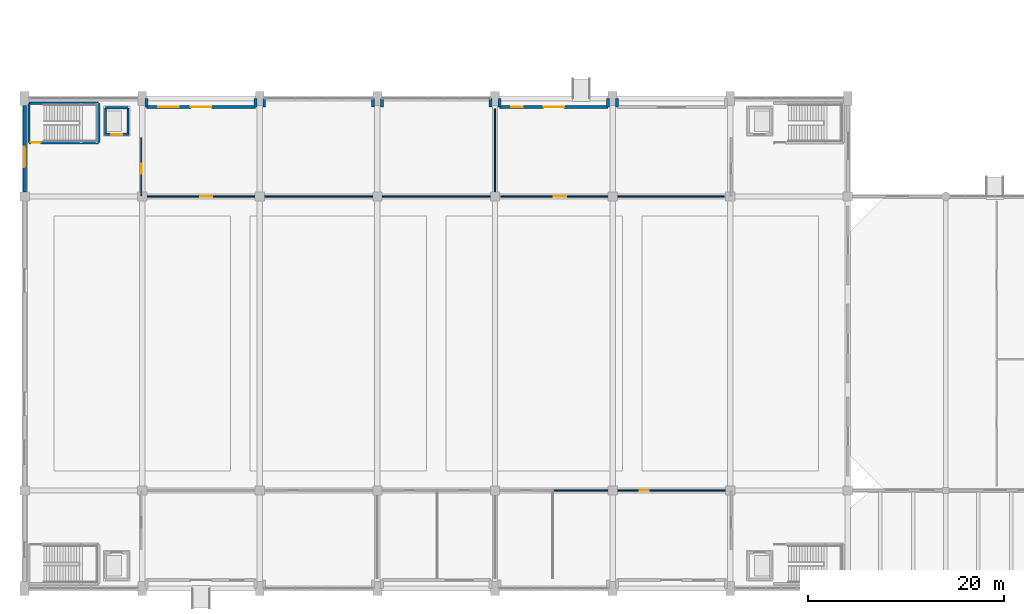
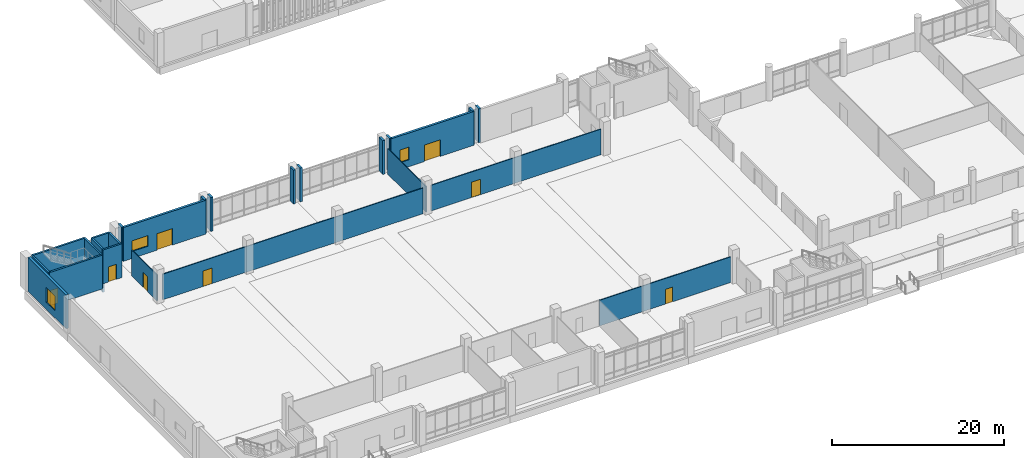
# One storey, part 70 of 87: 25 walls, 8 doors, 3 windows, 11 openings.
"""IFC4 building model written with IfcOpenShell, lengths in metres."""

from ifc_helpers import new_model, si_unit, direction, frame, frame_2d, origin, place, context, subcontext, project, spatial, rectangle, extrude, material, layer, layer_set, type_object, element, fill, save


model = new_model("IFC4")

# Units and contexts
model_context = context("Model", 3, precision=1e-05, world=origin(), true_north=direction((0.0, 1.0)))
body_context = subcontext(model_context, "Body", "Model", "MODEL_VIEW")
ifc_project = project(units=[si_unit("LENGTHUNIT", "METRE"), si_unit("AREAUNIT", "SQUARE_METRE"), si_unit("VOLUMEUNIT", "CUBIC_METRE"), si_unit("PLANEANGLEUNIT", "RADIAN"), si_unit("MASSUNIT", "GRAM", prefix="KILO")], contexts=[model_context])

# Site, building, storey
site_placement = place(None, origin())
site = spatial("IfcSite", under=ifc_project, at=site_placement, CompositionType="ELEMENT")
building_placement = place(site_placement, origin())
building = spatial("IfcBuilding", under=site, at=building_placement, Name="Mersad Railyard Sports Hall", CompositionType="ELEMENT")
storey_placement = place(building_placement, origin())
storey = spatial("IfcBuildingStorey", under=building, at=storey_placement, Name="L00", CompositionType="ELEMENT", Elevation=0.0)

# Walls
ifc_material_1 = material(Name="Architectural concrete C40/50", Category="concrete")
ifc_layer_1 = layer(ifc_material_1, 0.300048828125)
ifc_layer_set_1 = layer_set([ifc_layer_1], Name="Architectural concrete C40/50")
wall_type_1 = type_object("IfcWallType", Name="ARC-WL-EW01", PredefinedType="SOLIDWALL", material=ifc_layer_set_1)
for number, where, z_axis, x_axis, name in (
    (1, (19.449951171875, 52.64990234375, 0.0), (0.0, 0.0, 1.0), (0.0, 1.0, 0.0), "External wall EW01-0009"),
    (2, (30.550048828125, 53.5, 0.0), (0.0, 0.0, 1.0), (0.0, -1.0, 0.0), "External wall EW01-0010"),
):
    element("IfcWall", number, at=place(storey_placement, frame(where, z_axis=z_axis, x_axis=x_axis)), inside=storey, type_object=wall_type_1, Name=name, PredefinedType="SOLIDWALL", context=body_context, shape_type="SweptSolid", body=[
        extrude(rectangle(XDim=0.85009765625, YDim=0.300048828125, at=frame_2d((0.425048828125, 0.0))), origin(), (0.0, 0.0, 1.0), 4.800048828125),
    ])

# Wall, openings, door, window
wall_1_placement = place(storey_placement, frame((19.449951171875, 52.64990234375, 0.0), z_axis=(0.0, 0.0, 1.0), x_axis=(1.0, 0.0, 0.0)))
wall_1 = element("IfcWall", 3, at=wall_1_placement, inside=storey, type_object=wall_type_1, Name="External wall EW01-0016", PredefinedType="SOLIDWALL", context=body_context, shape_type="SweptSolid", body=[
    extrude(rectangle(XDim=11.10009765625, YDim=0.300048828125, at=frame_2d((5.550048828125, 0.0))), origin(), (0.0, 0.0, 1.0), 4.800048828125),
])
opening_1_placement = place(wall_1_placement, frame((4.5, 0.0, 0.0)))
opening_1 = element("IfcOpeningElement", 4, at=opening_1_placement, cuts=wall_1, Name="Opening ED02", PredefinedType="OPENING", context=body_context, shape_type="SweptSolid", body=[
    extrude(rectangle(XDim=2.10009765625, YDim=2.35009765625, at=frame_2d((1.050048828125, 1.175048828125))), frame((0.0, 0.159912109375, 0.0), z_axis=(0.0, -1.0, 0.0), x_axis=(1.0, 0.0, 0.0)), (0.0, 0.0, 1.0), 0.320068359375),
])
opening_2_placement = place(wall_1_placement, frame((1.199951171875, 0.0, 1.0)))
opening_2 = element("IfcOpeningElement", 5, at=opening_2_placement, cuts=wall_1, Name="Opening W06", PredefinedType="OPENING", context=body_context, shape_type="SweptSolid", body=[
    extrude(rectangle(XDim=2.10009765625, YDim=1.5, at=frame_2d((1.050048828125, 0.75))), frame((0.0, 0.159912109375, 0.0), z_axis=(0.0, -1.0, 0.0), x_axis=(1.0, 0.0, 0.0)), (0.0, 0.0, 1.0), 0.320068359375),
])
ifc_material_2 = material(Name="Aluminium 6063-T6", Category="aluminium")
door_type_1 = type_object("IfcDoorType", Name="ARC-DR-ED02", OperationType="NOTDEFINED", PredefinedType="DOOR", material=ifc_material_2)
door_1_placement = place(opening_1_placement, origin())
door_1 = element("IfcDoor", 6, at=door_1_placement, inside=storey, type_object=door_type_1, Name="Pedestrian exit door ED02-002", OperationType="DOUBLE_DOOR_SINGLE_SWING", OverallHeight=2.35009765625, OverallWidth=2.10009765625, PredefinedType="DOOR", context=body_context, shape_type="SweptSolid", body=[
    extrude(rectangle(XDim=2.10009765625, YDim=2.35009765625, at=frame_2d((1.050048828125, 1.175048828125))), frame((0.0, 0.02490234375, 0.0), z_axis=(0.0, -1.0, 0.0), x_axis=(1.0, 0.0, 0.0)), (0.0, 0.0, 1.0), 0.050048828125),
])
fill(opening_1, door_1)
ifc_material_3 = material(Name="Solar-control glass", Category="glass")
window_type_1 = type_object("IfcWindowType", Name="ARC-WN-W06", PartitioningType="DOUBLE_PANEL_VERTICAL", PredefinedType="WINDOW", material=ifc_material_3)
window_1_placement = place(opening_2_placement, origin())
window_1 = element("IfcWindow", 7, at=window_1_placement, inside=storey, type_object=window_type_1, Name="Window W06-0002", OverallHeight=1.5, OverallWidth=2.10009765625, PartitioningType="DOUBLE_PANEL_VERTICAL", PredefinedType="WINDOW", context=body_context, shape_type="SweptSolid", body=[
    extrude(rectangle(XDim=2.10009765625, YDim=1.5, at=frame_2d((1.050048828125, 0.75))), frame((0.0, 0.030029296875, 0.0), z_axis=(0.0, -1.0, 0.0), x_axis=(1.0, 0.0, 0.0)), (0.0, 0.0, 1.0), 0.06005859375),
])
fill(opening_2, window_1)

# Walls
for number, where, z_axis, x_axis, name in (
    (8, (31.449951171875, 52.64990234375, 0.0), (0.0, 0.0, 1.0), (0.0, 1.0, 0.0), "External wall EW01-0019"),
    (9, (42.550048828125, 53.5, 0.0), (0.0, 0.0, 1.0), (0.0, -1.0, 0.0), "External wall EW01-0020"),
    (10, (43.449951171875, 52.64990234375, 0.0), (0.0, 0.0, 1.0), (0.0, 1.0, 0.0), "External wall EW01-0027"),
    (11, (54.550048828125, 53.5, 0.0), (0.0, 0.0, 1.0), (0.0, -1.0, 0.0), "External wall EW01-0028"),
    (12, (55.449951171875, 52.64990234375, 0.0), (0.0, 0.0, 1.0), (0.0, 1.0, 0.0), "External wall EW01-0036"),
    (13, (66.550048828125, 53.5, 0.0), (0.0, 0.0, 1.0), (0.0, -1.0, 0.0), "External wall EW01-0037"),
):
    element("IfcWall", number, at=place(storey_placement, frame(where, z_axis=z_axis, x_axis=x_axis)), inside=storey, type_object=wall_type_1, Name=name, PredefinedType="SOLIDWALL", context=body_context, shape_type="SweptSolid", body=[
        extrude(rectangle(XDim=0.85009765625, YDim=0.300048828125, at=frame_2d((0.425048828125, 0.0))), origin(), (0.0, 0.0, 1.0), 4.800048828125),
    ])

# Wall, openings, door, window
wall_2_placement = place(storey_placement, frame((55.449951171875, 52.64990234375, 0.0), z_axis=(0.0, 0.0, 1.0), x_axis=(1.0, 0.0, 0.0)))
wall_2 = element("IfcWall", 14, at=wall_2_placement, inside=storey, type_object=wall_type_1, Name="External wall EW01-0042", PredefinedType="SOLIDWALL", context=body_context, shape_type="SweptSolid", body=[
    extrude(rectangle(XDim=11.10009765625, YDim=0.300048828125, at=frame_2d((5.550048828125, 0.0))), origin(), (0.0, 0.0, 1.0), 4.800048828125),
])
opening_3_placement = place(wall_2_placement, frame((4.5, 0.0, 0.0)))
opening_3 = element("IfcOpeningElement", 15, at=opening_3_placement, cuts=wall_2, Name="Opening ED02", PredefinedType="OPENING", context=body_context, shape_type="SweptSolid", body=[
    extrude(rectangle(XDim=2.10009765625, YDim=2.35009765625, at=frame_2d((1.050048828125, 1.175048828125))), frame((0.0, 0.159912109375, 0.0), z_axis=(0.0, -1.0, 0.0), x_axis=(1.0, 0.0, 0.0)), (0.0, 0.0, 1.0), 0.320068359375),
])
opening_4_placement = place(wall_2_placement, frame((1.199951171875, 0.0, 1.0)))
opening_4 = element("IfcOpeningElement", 16, at=opening_4_placement, cuts=wall_2, Name="Opening W09", PredefinedType="OPENING", context=body_context, shape_type="SweptSolid", body=[
    extrude(rectangle(XDim=1.199951171875, YDim=1.800048828125, at=frame_2d((0.60009765625, 0.89990234375))), frame((0.0, 0.159912109375, 0.0), z_axis=(0.0, -1.0, 0.0), x_axis=(1.0, 0.0, 0.0)), (0.0, 0.0, 1.0), 0.320068359375),
])
door_2_placement = place(opening_3_placement, origin())
door_2 = element("IfcDoor", 17, at=door_2_placement, inside=storey, type_object=door_type_1, Name="Pedestrian exit door ED02-004", OperationType="DOUBLE_DOOR_SINGLE_SWING", OverallHeight=2.35009765625, OverallWidth=2.10009765625, PredefinedType="DOOR", context=body_context, shape_type="SweptSolid", body=[
    extrude(rectangle(XDim=2.10009765625, YDim=2.35009765625, at=frame_2d((1.050048828125, 1.175048828125))), frame((0.0, 0.02490234375, 0.0), z_axis=(0.0, -1.0, 0.0), x_axis=(1.0, 0.0, 0.0)), (0.0, 0.0, 1.0), 0.050048828125),
])
fill(opening_3, door_2)
window_type_2 = type_object("IfcWindowType", Name="ARC-WN-W09", PartitioningType="SINGLE_PANEL", PredefinedType="WINDOW", material=ifc_material_3)
window_2_placement = place(opening_4_placement, origin())
window_2 = element("IfcWindow", 18, at=window_2_placement, inside=storey, type_object=window_type_2, Name="Window W09-0003", OverallHeight=1.800048828125, OverallWidth=1.199951171875, PartitioningType="SINGLE_PANEL", PredefinedType="WINDOW", context=body_context, shape_type="SweptSolid", body=[
    extrude(rectangle(XDim=1.199951171875, YDim=1.800048828125, at=frame_2d((0.60009765625, 0.89990234375))), frame((0.0, 0.030029296875, 0.0), z_axis=(0.0, -1.0, 0.0), x_axis=(1.0, 0.0, 0.0)), (0.0, 0.0, 1.0), 0.06005859375),
])
fill(opening_4, window_2)

# Wall
wall_3_placement = place(storey_placement, frame((67.449951171875, 52.64990234375, 0.0), z_axis=(0.0, 0.0, 1.0), x_axis=(0.0, 1.0, 0.0)))
element("IfcWall", 19, at=wall_3_placement, inside=storey, type_object=wall_type_1, Name="External wall EW01-0045", PredefinedType="SOLIDWALL", context=body_context, shape_type="SweptSolid", body=[
    extrude(rectangle(XDim=0.85009765625, YDim=0.300048828125, at=frame_2d((0.425048828125, 0.0))), origin(), (0.0, 0.0, 1.0), 4.800048828125),
])

# Wall, opening, window
ifc_material_4 = material(Name="Architectural concrete C50/60", Category="concrete")
ifc_layer_2 = layer(ifc_material_4, 0.35009765625)
ifc_layer_set_2 = layer_set([ifc_layer_2], Name="Architectural concrete C50/60")
wall_type_2 = type_object("IfcWallType", Name="ARC-WL-EW02", PredefinedType="SOLIDWALL", material=ifc_layer_set_2)
wall_4_placement = place(storey_placement, frame((7.0, 43.97509765625, 0.0), z_axis=(0.0, 0.0, 1.0), x_axis=(0.0, 1.0, 0.0)))
wall_4 = element("IfcWall", 20, at=wall_4_placement, inside=storey, type_object=wall_type_2, Name="External wall EW02-0055", PredefinedType="SOLIDWALL", context=body_context, shape_type="SweptSolid", body=[
    extrude(rectangle(XDim=8.824951171875, YDim=0.35009765625, at=frame_2d((4.41259765625, 0.0))), origin(), (0.0, 0.0, 1.0), 4.800048828125),
])
opening_5_placement = place(wall_4_placement, frame((2.5, 0.0, 1.0)))
opening_5 = element("IfcOpeningElement", 21, at=opening_5_placement, cuts=wall_4, Name="Opening W19", PredefinedType="OPENING", context=body_context, shape_type="SweptSolid", body=[
    extrude(rectangle(XDim=2.10009765625, YDim=2.10009765625, at=frame_2d((1.050048828125, 1.050048828125))), frame((0.0, 0.18505859375, 0.0), z_axis=(0.0, -1.0, 0.0), x_axis=(1.0, 0.0, 0.0)), (0.0, 0.0, 1.0), 0.3701171875),
])
window_type_3 = type_object("IfcWindowType", Name="ARC-WN-W19", PartitioningType="DOUBLE_PANEL_VERTICAL", PredefinedType="WINDOW", material=ifc_material_3)
window_3_placement = place(opening_5_placement, origin())
window_3 = element("IfcWindow", 22, at=window_3_placement, inside=storey, type_object=window_type_3, Name="Window W19-0007", OverallHeight=2.10009765625, OverallWidth=2.10009765625, PartitioningType="DOUBLE_PANEL_VERTICAL", PredefinedType="WINDOW", context=body_context, shape_type="SweptSolid", body=[
    extrude(rectangle(XDim=2.10009765625, YDim=2.10009765625, at=frame_2d((1.050048828125, 1.050048828125))), frame((0.0, 0.030029296875, 0.0), z_axis=(0.0, -1.0, 0.0), x_axis=(1.0, 0.0, 0.0)), (0.0, 0.0, 1.0), 0.06005859375),
])
fill(opening_5, window_3)

# Wall, opening, door
ifc_material_5 = material(Name="Gypsum plasterboard", Category="gypsum")
ifc_layer_3 = layer(ifc_material_5, 0.139892578125)
ifc_layer_set_3 = layer_set([ifc_layer_3], Name="Gypsum plasterboard")
wall_type_3 = type_object("IfcWallType", Name="ARC-WL-PT03", PredefinedType="PARTITIONING", material=ifc_layer_set_3)
wall_5_placement = place(storey_placement, frame((18.89990234375, 43.60009765625, 0.0), z_axis=(0.0, 0.0, 1.0), x_axis=(0.0, 1.0, 0.0)))
wall_5 = element("IfcWall", 23, at=wall_5_placement, inside=storey, type_object=wall_type_3, Name="Interior wall PT03-0327", PredefinedType="PARTITIONING", context=body_context, shape_type="SweptSolid", body=[
    extrude(rectangle(XDim=5.89990234375, YDim=0.139892578125, at=frame_2d((2.949951171875, 0.0))), origin(), (0.0, 0.0, 1.0), 3.64501953125),
])
opening_6_placement = place(wall_5_placement, frame((2.199951171875, 0.0, 0.0)))
opening_6 = element("IfcOpeningElement", 24, at=opening_6_placement, cuts=wall_5, Name="Opening FD07", PredefinedType="OPENING", context=body_context, shape_type="SweptSolid", body=[
    extrude(rectangle(XDim=1.050048828125, YDim=2.10009765625, at=frame_2d((0.52490234375, 1.050048828125))), frame((0.0, 0.079833984375, 0.0), z_axis=(0.0, -1.0, 0.0), x_axis=(1.0, 0.0, 0.0)), (0.0, 0.0, 1.0), 0.159912109375),
])
ifc_material_6 = material(Name="Steel S355", Category="steel")
door_type_2 = type_object("IfcDoorType", Name="ARC-DR-FD07", OperationType="NOTDEFINED", PredefinedType="DOOR", material=ifc_material_6)
door_3_placement = place(opening_6_placement, origin())
door_3 = element("IfcDoor", 25, at=door_3_placement, inside=storey, type_object=door_type_2, Name="NW lift lobby door FD07-0148", OperationType="SINGLE_SWING_LEFT", OverallHeight=2.10009765625, OverallWidth=1.050048828125, PredefinedType="DOOR", context=body_context, shape_type="SweptSolid", body=[
    extrude(rectangle(XDim=1.050048828125, YDim=2.10009765625, at=frame_2d((0.52490234375, 1.050048828125))), frame((0.0, 0.02490234375, 0.0), z_axis=(0.0, -1.0, 0.0), x_axis=(1.0, 0.0, 0.0)), (0.0, 0.0, 1.0), 0.050048828125),
])
fill(opening_6, door_3)

ifc_layer_4 = layer(ifc_material_5, 0.1201171875)
ifc_layer_set_4 = layer_set([ifc_layer_4], Name="Gypsum plasterboard")
wall_type_4 = type_object("IfcWallType", Name="ARC-WL-PT04", PredefinedType="PARTITIONING", material=ifc_layer_set_4)
wall_6_placement = place(storey_placement, frame((60.89990234375, 13.5, 0.0), z_axis=(0.0, 0.0, 1.0), x_axis=(1.0, 0.0, 0.0)))
wall_6 = element("IfcWall", 26, at=wall_6_placement, inside=storey, type_object=wall_type_4, Name="Interior wall PT04-0535", PredefinedType="PARTITIONING", context=body_context, shape_type="SweptSolid", body=[
    extrude(rectangle(XDim=17.650146484375, YDim=0.1201171875, at=frame_2d((8.8251953125, 0.0))), origin(), (0.0, 0.0, 1.0), 3.64501953125),
])
opening_7_placement = place(wall_6_placement, frame((8.844970703125, 0.0, 0.0)))
opening_7 = element("IfcOpeningElement", 27, at=opening_7_placement, cuts=wall_6, Name="Opening ID02", PredefinedType="OPENING", context=body_context, shape_type="SweptSolid", body=[
    extrude(rectangle(XDim=0.9599609375, YDim=2.10009765625, at=frame_2d((0.47998046875, 1.050048828125))), frame((0.0, 0.070068359375, 0.0), z_axis=(0.0, -1.0, 0.0), x_axis=(1.0, 0.0, 0.0)), (0.0, 0.0, 1.0), 0.14013671875),
])
door_type_3 = type_object("IfcDoorType", Name="ARC-DR-ID02", OperationType="NOTDEFINED", PredefinedType="DOOR", material=ifc_material_2)
door_4_placement = place(opening_7_placement, origin())
door_4 = element("IfcDoor", 28, at=door_4_placement, inside=storey, type_object=door_type_3, Name="Plinth south hall door ID02-0242", OperationType="SINGLE_SWING_RIGHT", OverallHeight=2.10009765625, OverallWidth=0.9599609375, PredefinedType="DOOR", context=body_context, shape_type="SweptSolid", body=[
    extrude(rectangle(XDim=0.9599609375, YDim=2.10009765625, at=frame_2d((0.47998046875, 1.050048828125))), frame((0.0, 0.02490234375, 0.0), z_axis=(0.0, -1.0, 0.0), x_axis=(1.0, 0.0, 0.0)), (0.0, 0.0, 1.0), 0.050048828125),
])
fill(opening_7, door_4)

wall_7_placement = place(storey_placement, frame((19.5, 43.5, 0.0), z_axis=(0.0, 0.0, 1.0), x_axis=(1.0, 0.0, 0.0)))
wall_7 = element("IfcWall", 29, at=wall_7_placement, inside=storey, type_object=wall_type_4, Name="Interior wall PT04-0537", PredefinedType="PARTITIONING", context=body_context, shape_type="SweptSolid", body=[
    extrude(rectangle(XDim=35.0, YDim=0.1201171875, at=frame_2d((17.5, 0.0))), origin(), (0.0, 0.0, 1.0), 3.64501953125),
])
opening_8_placement = place(wall_7_placement, frame((5.39990234375, 0.0, 0.0)))
opening_8 = element("IfcOpeningElement", 30, at=opening_8_placement, cuts=wall_7, Name="Opening ID06", PredefinedType="OPENING", context=body_context, shape_type="SweptSolid", body=[
    extrude(rectangle(XDim=1.25, YDim=2.199951171875, at=frame_2d((0.625, 1.10009765625))), frame((0.0, 0.070068359375, 0.0), z_axis=(0.0, -1.0, 0.0), x_axis=(1.0, 0.0, 0.0)), (0.0, 0.0, 1.0), 0.14013671875),
])
door_type_4 = type_object("IfcDoorType", Name="ARC-DR-ID06", OperationType="NOTDEFINED", PredefinedType="DOOR", material=ifc_material_2)
door_5_placement = place(opening_8_placement, origin())
door_5 = element("IfcDoor", 31, at=door_5_placement, inside=storey, type_object=door_type_4, Name="Plinth north hall door ID06-0243", OperationType="SINGLE_SWING_LEFT", OverallHeight=2.199951171875, OverallWidth=1.25, PredefinedType="DOOR", context=body_context, shape_type="SweptSolid", body=[
    extrude(rectangle(XDim=1.25, YDim=2.199951171875, at=frame_2d((0.625, 1.10009765625))), frame((0.0, 0.02490234375, 0.0), z_axis=(0.0, -1.0, 0.0), x_axis=(1.0, 0.0, 0.0)), (0.0, 0.0, 1.0), 0.050048828125),
])
fill(opening_8, door_5)

wall_8_placement = place(storey_placement, frame((55.60009765625, 43.5, 0.0), z_axis=(0.0, 0.0, 1.0), x_axis=(1.0, 0.0, 0.0)))
wall_8 = element("IfcWall", 32, at=wall_8_placement, inside=storey, type_object=wall_type_4, Name="Interior wall PT04-0538", PredefinedType="PARTITIONING", context=body_context, shape_type="SweptSolid", body=[
    extrude(rectangle(XDim=22.7998046875, YDim=0.1201171875, at=frame_2d((11.39990234375, 0.0))), origin(), (0.0, 0.0, 1.0), 3.64501953125),
])
opening_9_placement = place(wall_8_placement, frame((5.39990234375, 0.0, 0.0)))
opening_9 = element("IfcOpeningElement", 33, at=opening_9_placement, cuts=wall_8, Name="Opening ID06", PredefinedType="OPENING", context=body_context, shape_type="SweptSolid", body=[
    extrude(rectangle(XDim=1.25, YDim=2.199951171875, at=frame_2d((0.625, 1.10009765625))), frame((0.0, 0.070068359375, 0.0), z_axis=(0.0, -1.0, 0.0), x_axis=(1.0, 0.0, 0.0)), (0.0, 0.0, 1.0), 0.14013671875),
])
door_6_placement = place(opening_9_placement, origin())
door_6 = element("IfcDoor", 34, at=door_6_placement, inside=storey, type_object=door_type_4, Name="Plinth north hall door ID06-0244", OperationType="SINGLE_SWING_RIGHT", OverallHeight=2.199951171875, OverallWidth=1.25, PredefinedType="DOOR", context=body_context, shape_type="SweptSolid", body=[
    extrude(rectangle(XDim=1.25, YDim=2.199951171875, at=frame_2d((0.625, 1.10009765625))), frame((0.0, 0.02490234375, 0.0), z_axis=(0.0, -1.0, 0.0), x_axis=(1.0, 0.0, 0.0)), (0.0, 0.0, 1.0), 0.050048828125),
])
fill(opening_9, door_6)

# Walls
wall_9_placement = place(storey_placement, frame((55.0, 43.5, 0.0), z_axis=(0.0, 0.0, 1.0), x_axis=(0.0, 1.0, 0.0)))
element("IfcWall", 35, at=wall_9_placement, inside=storey, type_object=wall_type_4, Name="Interior wall PT04-0539", PredefinedType="PARTITIONING", context=body_context, shape_type="SweptSolid", body=[
    extrude(rectangle(XDim=8.949951171875, YDim=0.1201171875, at=frame_2d((4.47509765625, 0.0))), origin(), (0.0, 0.0, 1.0), 3.64501953125),
])
ifc_material_7 = material(Name="Concrete C40/50", Category="concrete")
ifc_layer_5 = layer(ifc_material_7, 0.239990234375)
ifc_layer_set_5 = layer_set([ifc_layer_5], Name="Concrete C40/50")
wall_type_5 = type_object("IfcWallType", Name="STR-WL-SW03", PredefinedType="SHEAR", material=ifc_layer_set_5)
wall_10_placement = place(storey_placement, frame((15.25, 49.85009765625, -1.300048828125), z_axis=(0.0, 0.0, 1.0), x_axis=(0.0, 1.0, 0.0)))
element("IfcWall", 36, at=wall_10_placement, inside=storey, type_object=wall_type_5, Name="Lift PL-09 west shaft wall L00", PredefinedType="SHEAR", context=body_context, shape_type="SweptSolid", body=[
    extrude(rectangle(XDim=2.699951171875, YDim=0.239990234375, at=frame_2d((1.35009765625, 0.0))), origin(), (0.0, 0.0, 1.0), 6.10009765625),
])
wall_11_placement = place(storey_placement, frame((17.550048828125, 52.550048828125, 0.0), z_axis=(0.0, 0.0, 1.0), x_axis=(0.0, -1.0, 0.0)))
element("IfcWall", 37, at=wall_11_placement, inside=storey, type_object=wall_type_5, Name="Interior wall SW03-0129", PredefinedType="SHEAR", context=body_context, shape_type="SweptSolid", body=[
    extrude(rectangle(XDim=2.699951171875, YDim=0.239990234375, at=frame_2d((1.35009765625, 0.0))), origin(), (0.0, 0.0, 1.0), 4.800048828125),
])
wall_12_placement = place(storey_placement, frame((15.25, 52.550048828125, 0.0), z_axis=(0.0, 0.0, 1.0), x_axis=(1.0, 0.0, 0.0)))
element("IfcWall", 38, at=wall_12_placement, inside=storey, type_object=wall_type_5, Name="Interior wall SW03-0130", PredefinedType="SHEAR", context=body_context, shape_type="SweptSolid", body=[
    extrude(rectangle(XDim=2.300048828125, YDim=0.239990234375, at=frame_2d((1.14990234375, 0.0))), origin(), (0.0, 0.0, 1.0), 4.800048828125),
])

# Wall, opening, door
wall_13_placement = place(storey_placement, frame((17.669921875, 49.85009765625, 0.0), z_axis=(0.0, 0.0, 1.0), x_axis=(-1.0, 0.0, 0.0)))
wall_13 = element("IfcWall", 39, at=wall_13_placement, inside=storey, type_object=wall_type_5, Name="Interior wall SW03-0131", PredefinedType="SHEAR", context=body_context, shape_type="SweptSolid", body=[
    extrude(rectangle(XDim=2.5400390625, YDim=0.239990234375, at=frame_2d((1.27001953125, 0.0))), origin(), (0.0, 0.0, 1.0), 4.800048828125),
])
opening_10_placement = place(wall_13_placement, frame((0.719970703125, 0.0, 0.0)))
opening_10 = element("IfcOpeningElement", 40, at=opening_10_placement, cuts=wall_13, Name="Opening LD01", PredefinedType="OPENING", context=body_context, shape_type="SweptSolid", body=[
    extrude(rectangle(XDim=1.10009765625, YDim=2.14990234375, at=frame_2d((0.550048828125, 1.074951171875))), frame((0.0, 0.1298828125, 0.0), z_axis=(0.0, -1.0, 0.0), x_axis=(1.0, 0.0, 0.0)), (0.0, 0.0, 1.0), 0.260009765625),
])
door_type_5 = type_object("IfcDoorType", Name="ARC-DR-LD01", OperationType="NOTDEFINED", PredefinedType="USERDEFINED", material=ifc_material_6)
door_7_placement = place(opening_10_placement, origin())
door_7 = element("IfcDoor", 41, at=door_7_placement, inside=storey, type_object=door_type_5, Name="Lift PL-09 landing door LD01-0035", ObjectType="LANDING DOOR", OperationType="DOUBLE_DOOR_SLIDING", OverallHeight=2.14990234375, OverallWidth=1.10009765625, PredefinedType="USERDEFINED", context=body_context, shape_type="SweptSolid", body=[
    extrude(rectangle(XDim=1.10009765625, YDim=2.14990234375, at=frame_2d((0.550048828125, 1.074951171875))), frame((0.0, 0.02490234375, 0.0), z_axis=(0.0, -1.0, 0.0), x_axis=(1.0, 0.0, 0.0)), (0.0, 0.0, 1.0), 0.050048828125),
])
fill(opening_10, door_7)

# Walls
for number, where, z_axis, x_axis, name in (
    (42, (7.449951171875, 49.0, 0.0), (0.0, 0.0, 1.0), (0.0, 1.0, 0.0), "Interior wall SW03-0323"),
    (43, (14.550048828125, 49.0, 0.0), (0.0, 0.0, 1.0), (0.0, 1.0, 0.0), "Interior wall SW03-0324"),
):
    element("IfcWall", number, at=place(storey_placement, frame(where, z_axis=z_axis, x_axis=x_axis)), inside=storey, type_object=wall_type_5, Name=name, PredefinedType="SHEAR", context=body_context, shape_type="SweptSolid", body=[
        extrude(rectangle(XDim=4.0, YDim=0.239990234375, at=frame_2d((2.0, 0.0))), origin(), (0.0, 0.0, 1.0), 4.800048828125),
    ])
wall_14_placement = place(storey_placement, frame((7.449951171875, 53.0, 0.0), z_axis=(0.0, 0.0, 1.0), x_axis=(1.0, 0.0, 0.0)))
element("IfcWall", 44, at=wall_14_placement, inside=storey, type_object=wall_type_5, Name="Interior wall SW03-0325", PredefinedType="SHEAR", context=body_context, shape_type="SweptSolid", body=[
    extrude(rectangle(XDim=7.10009765625, YDim=0.239990234375, at=frame_2d((3.550048828125, 0.0))), origin(), (0.0, 0.0, 1.0), 4.800048828125),
])

# Wall, opening, door
wall_15_placement = place(storey_placement, frame((7.449951171875, 49.0, 0.0), z_axis=(0.0, 0.0, 1.0), x_axis=(1.0, 0.0, 0.0)))
wall_15 = element("IfcWall", 45, at=wall_15_placement, inside=storey, type_object=wall_type_5, Name="Interior wall SW03-0326", PredefinedType="SHEAR", context=body_context, shape_type="SweptSolid", body=[
    extrude(rectangle(XDim=7.10009765625, YDim=0.239990234375, at=frame_2d((3.550048828125, 0.0))), origin(), (0.0, 0.0, 1.0), 4.800048828125),
])
opening_11_placement = place(wall_15_placement, frame((0.179931640625, 0.0, 0.0)))
opening_11 = element("IfcOpeningElement", 46, at=opening_11_placement, cuts=wall_15, Name="Opening FD02", PredefinedType="OPENING", context=body_context, shape_type="SweptSolid", body=[
    extrude(rectangle(XDim=1.0, YDim=2.14990234375, at=frame_2d((0.5, 1.074951171875))), frame((0.0, 0.1298828125, 0.0), z_axis=(0.0, -1.0, 0.0), x_axis=(1.0, 0.0, 0.0)), (0.0, 0.0, 1.0), 0.260009765625),
])
door_type_6 = type_object("IfcDoorType", Name="ARC-DR-FD02", OperationType="NOTDEFINED", PredefinedType="DOOR", material=ifc_material_6)
door_8_placement = place(opening_11_placement, origin())
door_8 = element("IfcDoor", 47, at=door_8_placement, inside=storey, type_object=door_type_6, Name="NW pavilion stair door FD02-0147", OperationType="SINGLE_SWING_RIGHT", OverallHeight=2.14990234375, OverallWidth=1.0, PredefinedType="DOOR", context=body_context, shape_type="SweptSolid", body=[
    extrude(rectangle(XDim=1.0, YDim=2.14990234375, at=frame_2d((0.5, 1.074951171875))), frame((0.0, 0.02490234375, 0.0), z_axis=(0.0, -1.0, 0.0), x_axis=(1.0, 0.0, 0.0)), (0.0, 0.0, 1.0), 0.050048828125),
])
fill(opening_11, door_8)

save(model, "model.ifc")
